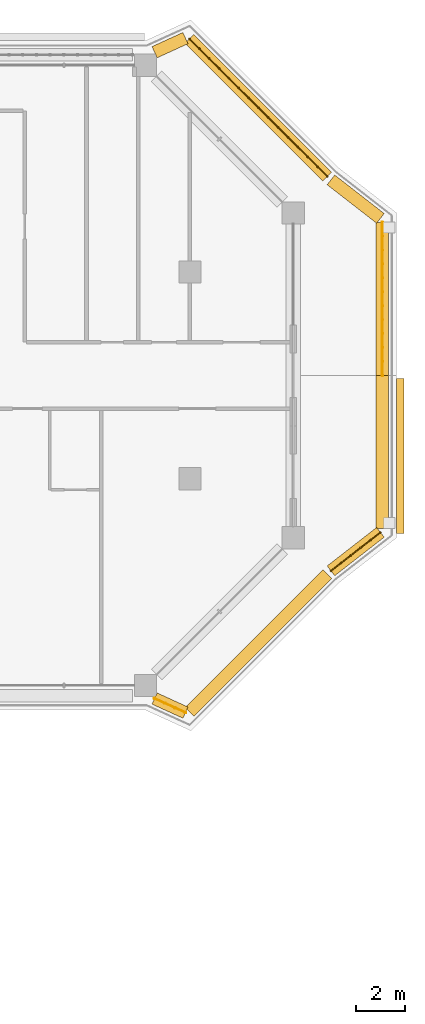
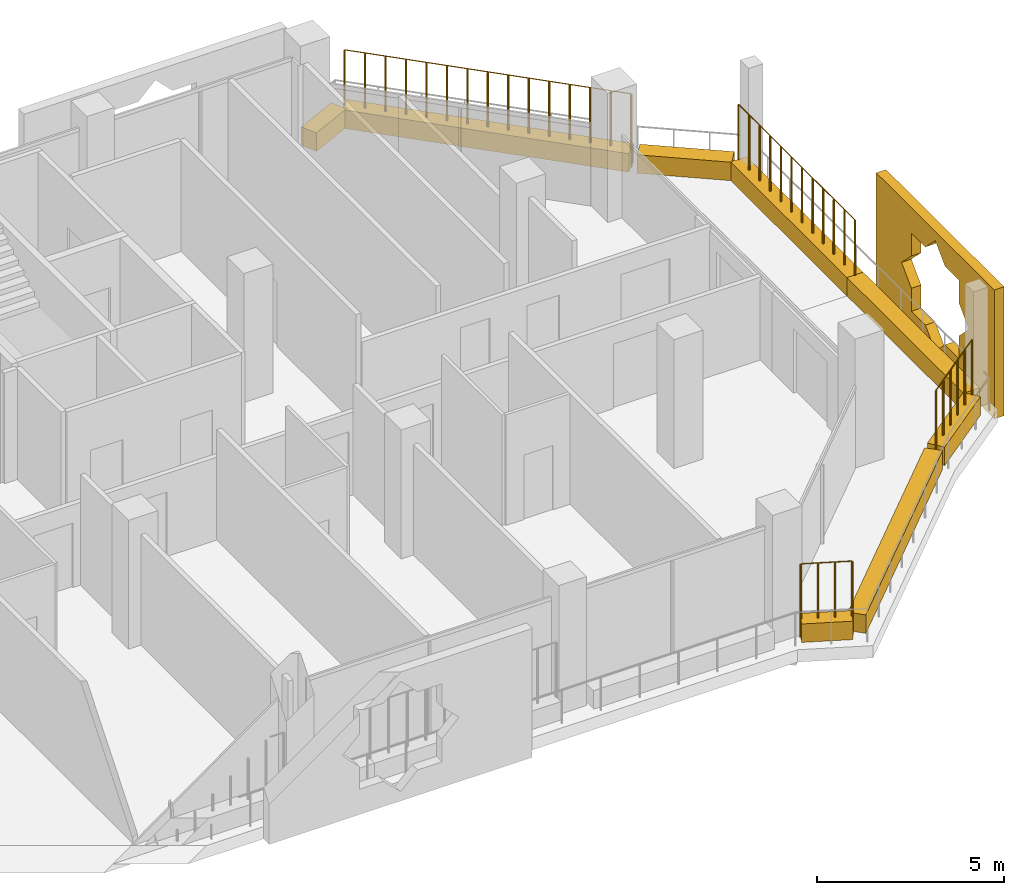
# One storey, part 21 of 21: 9 coverings, 4 railings.
"""IFC4 building model written with IfcOpenShell, lengths in metres."""

from ifc_helpers import new_model, si_unit, direction, frame, origin, origin_2d, place, context, subcontext, project, spatial, polyline, rectangle, circle, outline, extrude, material, material_profile, profile_set, type_object, element, save


model = new_model("IFC4")

# Units and contexts
model_context = context("Model", 3, precision=1e-05, world=origin(), true_north=direction((0.0, 1.0)))
body_context = subcontext(model_context, "Body", "Model", "MODEL_VIEW")
ifc_project = project(units=[si_unit("LENGTHUNIT", "METRE"), si_unit("AREAUNIT", "SQUARE_METRE"), si_unit("VOLUMEUNIT", "CUBIC_METRE"), si_unit("PLANEANGLEUNIT", "RADIAN"), si_unit("MASSUNIT", "GRAM", prefix="KILO")], contexts=[model_context])

# Site, building, storey
site_placement = place(None, origin())
site = spatial("IfcSite", under=ifc_project, at=site_placement, CompositionType="ELEMENT")
building_placement = place(site_placement, origin())
building = spatial("IfcBuilding", under=site, at=building_placement, Name="Kawkab Arch Medical Tower", CompositionType="ELEMENT")
storey_placement = place(building_placement, frame((0.0, 0.0, 243.199951171875)))
storey = spatial("IfcBuildingStorey", under=building, at=storey_placement, Name="L56", CompositionType="ELEMENT", Elevation=243.199951171875)

# Coverings
ifc_material_1 = material(Name="Bronze anodised aluminium mashrabiya panel, eight-point star pattern", Category="aluminium")
ifc_material_profile_1 = material_profile(ifc_material_1, outline(polyline([(-3.14990234375, -2.10009765625), (3.14990234375, -2.10009765625), (3.14990234375, 2.10009765625), (-3.14990234375, 2.10009765625), (-3.14990234375, -2.10009765625)]), holes=[polyline([(1.800048828125, 0.0), (1.272705078125, 0.527099609375), (1.272705078125, 1.272705078125), (0.527099609375, 1.272705078125), (0.0, 1.800048828125), (-0.527099609375, 1.272705078125), (-1.272705078125, 1.272705078125), (-1.272705078125, 0.527099609375), (-1.800048828125, 0.0), (-1.272705078125, -0.527099609375), (-1.272705078125, -1.272705078125), (-0.527099609375, -1.272705078125), (0.0, -1.800048828125), (0.527099609375, -1.272705078125), (1.272705078125, -1.272705078125), (1.272705078125, -0.527099609375), (1.800048828125, 0.0)])]), Name="Mashrabiya panel 6300x4200")
ifc_profile_set_1 = profile_set([ifc_material_profile_1], Name="Bronze anodised aluminium mashrabiya panel, eight-point star pattern")
covering_type_1 = type_object("IfcCoveringType", Name="Mashrabiya panel 6300 x 4200", PredefinedType="USERDEFINED", material=ifc_profile_set_1)
covering_1_placement = place(storey_placement, frame((67.199951171875, -15.877685546875, 1.699951171875), z_axis=(1.0, 0.0, 0.0), x_axis=(0.0, 1.0, 0.0)))
element("IfcCovering", 1, at=covering_1_placement, inside=storey, type_object=covering_type_1, Name="Mashrabiya panel L56.LOG-01-01.9", ObjectType="SCREEN", PredefinedType="USERDEFINED", context=body_context, shape_type="SweptSolid", body=[
    extrude(outline(polyline([(-3.14990234375, -2.10009765625), (3.14990234375, -2.10009765625), (3.14990234375, 2.10009765625), (-3.14990234375, 2.10009765625), (-3.14990234375, -2.10009765625)]), holes=[polyline([(1.800048828125, 0.0), (1.272705078125, 0.527099609375), (1.272705078125, 1.272705078125), (0.527099609375, 1.272705078125), (0.0, 1.800048828125), (-0.527099609375, 1.272705078125), (-1.272705078125, 1.272705078125), (-1.272705078125, 0.527099609375), (-1.800048828125, 0.0), (-1.272705078125, -0.527099609375), (-1.272705078125, -1.272705078125), (-0.527099609375, -1.272705078125), (0.0, -1.800048828125), (0.527099609375, -1.272705078125), (1.272705078125, -1.272705078125), (1.272705078125, -0.527099609375), (1.800048828125, 0.0)])]), origin(), (0.0, 0.0, 1.0), 0.300048828125),
])
ifc_material_2 = material(Name="Planting soil in a precast trough", Category="concrete")
ifc_material_profile_2 = material_profile(ifc_material_2, rectangle(XDim=0.5, YDim=0.60009765625, at=origin_2d()), Name="Trough 500x600")
ifc_profile_set_2 = profile_set([ifc_material_profile_2], Name="Planting soil in a precast trough")
covering_type_2 = type_object("IfcCoveringType", Name="Planter trough 500 x 600", PredefinedType="USERDEFINED", material=ifc_profile_set_2)
covering_2_placement = place(storey_placement, frame((57.366943359375, 0.530029296875, 0.300048828125), z_axis=(0.909831953447, 0.41497688669, 0.0), x_axis=(-0.41497688669, 0.909831953447, 0.0)))
element("IfcCovering", 2, at=covering_2_placement, inside=storey, type_object=covering_type_2, Name="Planter L56.LOG-01-01.24", ObjectType="PLANTER", PredefinedType="USERDEFINED", context=body_context, shape_type="SweptSolid", body=[
    extrude(rectangle(XDim=0.5, YDim=0.60009765625, at=origin_2d()), origin(), (0.0, 0.0, 1.0), 1.37841796875),
])
covering_3_placement = place(storey_placement, frame((58.782958984375, 1.072998046875, 0.300048828125), z_axis=(0.707106781187, -0.707106781187, 0.0), x_axis=(0.707106781187, 0.707106781187, 0.0)))
element("IfcCovering", 3, at=covering_3_placement, inside=storey, type_object=covering_type_2, Name="Planter L56.LOG-01-01.25", ObjectType="PLANTER", PredefinedType="USERDEFINED", context=body_context, shape_type="SweptSolid", body=[
    extrude(rectangle(XDim=0.5, YDim=0.60009765625, at=origin_2d()), origin(), (0.0, 0.0, 1.0), 7.919677734375),
])
covering_4_placement = place(storey_placement, frame((64.531982421875, -4.658935546875, 0.300048828125), z_axis=(0.789274742246, -0.61404021143, 0.0), x_axis=(0.61404021143, 0.789274742246, 0.0)))
element("IfcCovering", 4, at=covering_4_placement, inside=storey, type_object=covering_type_2, Name="Planter L56.LOG-01-01.26", ObjectType="PLANTER", PredefinedType="USERDEFINED", context=body_context, shape_type="SweptSolid", body=[
    extrude(rectangle(XDim=0.5, YDim=0.60009765625, at=origin_2d()), origin(), (0.0, 0.0, 1.0), 2.54541015625),
])
covering_5_placement = place(storey_placement, frame((66.6201171875, -6.384033203125, 0.300048828125), z_axis=(0.0, -1.0, 0.0), x_axis=(1.0, 0.0, 0.0)))
element("IfcCovering", 5, at=covering_5_placement, inside=storey, type_object=covering_type_2, Name="Planter L56.LOG-01-01.27", ObjectType="PLANTER", PredefinedType="USERDEFINED", context=body_context, shape_type="SweptSolid", body=[
    extrude(rectangle(XDim=0.5, YDim=0.60009765625, at=origin_2d()), origin(), (0.0, 0.0, 1.0), 6.216064453125),
])
covering_6_placement = place(storey_placement, frame((66.6201171875, -12.60009765625, 0.300048828125), z_axis=(0.0, -1.0, 0.0), x_axis=(1.0, 0.0, 0.0)))
element("IfcCovering", 6, at=covering_6_placement, inside=storey, type_object=covering_type_2, Name="Planter L56.LOG-01-01.28", ObjectType="PLANTER", PredefinedType="USERDEFINED", context=body_context, shape_type="SweptSolid", body=[
    extrude(rectangle(XDim=0.5, YDim=0.60009765625, at=origin_2d()), origin(), (0.0, 0.0, 1.0), 6.2158203125),
])
covering_7_placement = place(storey_placement, frame((66.541015625, -18.97802734375, 0.300048828125), z_axis=(-0.789274742246, -0.61404021143, 0.0), x_axis=(0.61404021143, -0.789274742246, 0.0)))
element("IfcCovering", 7, at=covering_7_placement, inside=storey, type_object=covering_type_2, Name="Planter L56.LOG-01-01.29", ObjectType="PLANTER", PredefinedType="USERDEFINED", context=body_context, shape_type="SweptSolid", body=[
    extrude(rectangle(XDim=0.5, YDim=0.60009765625, at=origin_2d()), origin(), (0.0, 0.0, 1.0), 2.54541015625),
])
covering_8_placement = place(storey_placement, frame((64.383056640625, -20.673095703125, 0.300048828125), z_axis=(-0.70712219479, -0.707091367247, 0.0), x_axis=(0.707091367247, -0.70712219479, 0.0)))
element("IfcCovering", 8, at=covering_8_placement, inside=storey, type_object=covering_type_2, Name="Planter L56.LOG-01-01.30", ObjectType="PLANTER", PredefinedType="USERDEFINED", context=body_context, shape_type="SweptSolid", body=[
    extrude(rectangle(XDim=0.5, YDim=0.60009765625, at=origin_2d()), origin(), (0.0, 0.0, 1.0), 7.919677734375),
])
covering_9_placement = place(storey_placement, frame((58.62109375, -26.302001953125, 0.300048828125), z_axis=(-0.909831953447, 0.41497688669, 0.0), x_axis=(-0.41497688669, -0.909831953447, 0.0)))
element("IfcCovering", 9, at=covering_9_placement, inside=storey, type_object=covering_type_2, Name="Planter L56.LOG-01-01.31", ObjectType="PLANTER", PredefinedType="USERDEFINED", context=body_context, shape_type="SweptSolid", body=[
    extrude(rectangle(XDim=0.5, YDim=0.60009765625, at=origin_2d()), origin(), (0.0, 0.0, 1.0), 1.37841796875),
])

# Railings
ifc_material_3 = material(Name="Bronze anodised aluminium trellis for climbing plants", Category="aluminium")
railing_type = type_object("IfcRailingType", Name="Planting trellis 2400", PredefinedType="USERDEFINED", material=ifc_material_3)
railing_1_placement = place(storey_placement, frame((58.782958984375, 1.072998046875, 0.0)))
element("IfcRailing", 10, at=railing_1_placement, inside=storey, type_object=railing_type, Name="Planting trellis L56.LOG-01-01.25", ObjectType="TRELLIS", PredefinedType="USERDEFINED", context=body_context, shape_type="SweptSolid", body=[
    extrude(circle(Radius=0.01513671875, at=origin_2d()), frame((0.0, 0.0, 2.384765625), z_axis=(0.707106781187, -0.707106781187, 0.0), x_axis=(0.707106781187, 0.707106781187, 0.0)), (0.0, 0.0, 1.0), 7.919677734375),
    extrude(circle(Radius=0.030029296875, at=origin_2d()), origin(), (0.0, 0.0, 1.0), 2.369873046875),
    extrude(circle(Radius=0.030029296875, at=origin_2d()), frame((0.39990234375, -0.39990234375, 0.0)), (0.0, 0.0, 1.0), 2.369873046875),
    extrude(circle(Radius=0.030029296875, at=origin_2d()), frame((0.800048828125, -0.800048828125, 0.0)), (0.0, 0.0, 1.0), 2.369873046875),
    extrude(circle(Radius=0.030029296875, at=origin_2d()), frame((1.199951171875, -1.199951171875, 0.0)), (0.0, 0.0, 1.0), 2.369873046875),
    extrude(circle(Radius=0.030029296875, at=origin_2d()), frame((1.60009765625, -1.60009765625, 0.0)), (0.0, 0.0, 1.0), 2.369873046875),
    extrude(circle(Radius=0.030029296875, at=origin_2d()), frame((2.0, -2.0, 0.0)), (0.0, 0.0, 1.0), 2.369873046875),
    extrude(circle(Radius=0.030029296875, at=origin_2d()), frame((2.400146484375, -2.400146484375, 0.0)), (0.0, 0.0, 1.0), 2.369873046875),
    extrude(circle(Radius=0.030029296875, at=origin_2d()), frame((2.800048828125, -2.800048828125, 0.0)), (0.0, 0.0, 1.0), 2.369873046875),
    extrude(circle(Radius=0.030029296875, at=origin_2d()), frame((3.199951171875, -3.199951171875, 0.0)), (0.0, 0.0, 1.0), 2.369873046875),
    extrude(circle(Radius=0.030029296875, at=origin_2d()), frame((3.60009765625, -3.60009765625, 0.0)), (0.0, 0.0, 1.0), 2.369873046875),
    extrude(circle(Radius=0.030029296875, at=origin_2d()), frame((4.0, -4.0, 0.0)), (0.0, 0.0, 1.0), 2.369873046875),
    extrude(circle(Radius=0.030029296875, at=origin_2d()), frame((4.400146484375, -4.400146484375, 0.0)), (0.0, 0.0, 1.0), 2.369873046875),
    extrude(circle(Radius=0.030029296875, at=origin_2d()), frame((4.800048828125, -4.800048828125, 0.0)), (0.0, 0.0, 1.0), 2.369873046875),
    extrude(circle(Radius=0.030029296875, at=origin_2d()), frame((5.2001953125, -5.2001953125, 0.0)), (0.0, 0.0, 1.0), 2.369873046875),
    extrude(circle(Radius=0.030029296875, at=origin_2d()), frame((5.60009765625, -5.60009765625, 0.0)), (0.0, 0.0, 1.0), 2.369873046875),
])
railing_2_placement = place(storey_placement, frame((66.6201171875, -6.384033203125, 0.0)))
element("IfcRailing", 11, at=railing_2_placement, inside=storey, type_object=railing_type, Name="Planting trellis L56.LOG-01-01.27", ObjectType="TRELLIS", PredefinedType="USERDEFINED", context=body_context, shape_type="SweptSolid", body=[
    extrude(circle(Radius=0.01513671875, at=origin_2d()), frame((0.0, 0.0, 2.384765625), z_axis=(0.0, -1.0, 0.0), x_axis=(1.0, 0.0, 0.0)), (0.0, 0.0, 1.0), 6.216064453125),
    extrude(circle(Radius=0.030029296875, at=origin_2d()), origin(), (0.0, 0.0, 1.0), 2.369873046875),
    extrude(circle(Radius=0.030029296875, at=origin_2d()), frame((0.0, -0.565185546875, 0.0)), (0.0, 0.0, 1.0), 2.369873046875),
    extrude(circle(Radius=0.030029296875, at=origin_2d()), frame((0.0, -1.130126953125, 0.0)), (0.0, 0.0, 1.0), 2.369873046875),
    extrude(circle(Radius=0.030029296875, at=origin_2d()), frame((0.0, -1.6953125, 0.0)), (0.0, 0.0, 1.0), 2.369873046875),
    extrude(circle(Radius=0.030029296875, at=origin_2d()), frame((0.0, -2.260498046875, 0.0)), (0.0, 0.0, 1.0), 2.369873046875),
    extrude(circle(Radius=0.030029296875, at=origin_2d()), frame((0.0, -2.825439453125, 0.0)), (0.0, 0.0, 1.0), 2.369873046875),
    extrude(circle(Radius=0.030029296875, at=origin_2d()), frame((0.0, -3.390625, 0.0)), (0.0, 0.0, 1.0), 2.369873046875),
    extrude(circle(Radius=0.030029296875, at=origin_2d()), frame((0.0, -3.95556640625, 0.0)), (0.0, 0.0, 1.0), 2.369873046875),
    extrude(circle(Radius=0.030029296875, at=origin_2d()), frame((0.0, -4.520751953125, 0.0)), (0.0, 0.0, 1.0), 2.369873046875),
    extrude(circle(Radius=0.030029296875, at=origin_2d()), frame((0.0, -5.0859375, 0.0)), (0.0, 0.0, 1.0), 2.369873046875),
    extrude(circle(Radius=0.030029296875, at=origin_2d()), frame((0.0, -5.65087890625, 0.0)), (0.0, 0.0, 1.0), 2.369873046875),
    extrude(circle(Radius=0.030029296875, at=origin_2d()), frame((0.0, -6.216064453125, 0.0)), (0.0, 0.0, 1.0), 2.369873046875),
])
railing_3_placement = place(storey_placement, frame((66.541015625, -18.97802734375, 0.0)))
element("IfcRailing", 12, at=railing_3_placement, inside=storey, type_object=railing_type, Name="Planting trellis L56.LOG-01-01.29", ObjectType="TRELLIS", PredefinedType="USERDEFINED", context=body_context, shape_type="SweptSolid", body=[
    extrude(circle(Radius=0.01513671875, at=origin_2d()), frame((0.0, 0.0, 2.384765625), z_axis=(-0.789274742246, -0.61404021143, 0.0), x_axis=(0.61404021143, -0.789274742246, 0.0)), (0.0, 0.0, 1.0), 2.54541015625),
    extrude(circle(Radius=0.030029296875, at=origin_2d()), origin(), (0.0, 0.0, 1.0), 2.369873046875),
    extrude(circle(Radius=0.030029296875, at=origin_2d()), frame((-0.40185546875, -0.3125, 0.0)), (0.0, 0.0, 1.0), 2.369873046875),
    extrude(circle(Radius=0.030029296875, at=origin_2d()), frame((-0.8037109375, -0.625244140625, 0.0)), (0.0, 0.0, 1.0), 2.369873046875),
    extrude(circle(Radius=0.030029296875, at=origin_2d()), frame((-1.205322265625, -0.937744140625, 0.0)), (0.0, 0.0, 1.0), 2.369873046875),
    extrude(circle(Radius=0.030029296875, at=origin_2d()), frame((-1.607177734375, -1.25048828125, 0.0)), (0.0, 0.0, 1.0), 2.369873046875),
    extrude(circle(Radius=0.030029296875, at=origin_2d()), frame((-2.009033203125, -1.56298828125, 0.0)), (0.0, 0.0, 1.0), 2.369873046875),
])
railing_4_placement = place(storey_placement, frame((58.62109375, -26.302001953125, 0.0)))
element("IfcRailing", 13, at=railing_4_placement, inside=storey, type_object=railing_type, Name="Planting trellis L56.LOG-01-01.31", ObjectType="TRELLIS", PredefinedType="USERDEFINED", context=body_context, shape_type="SweptSolid", body=[
    extrude(circle(Radius=0.01513671875, at=origin_2d()), frame((0.0, 0.0, 2.384765625), z_axis=(-0.909831953447, 0.41497688669, 0.0), x_axis=(-0.41497688669, -0.909831953447, 0.0)), (0.0, 0.0, 1.0), 1.37841796875),
    extrude(circle(Radius=0.030029296875, at=origin_2d()), origin(), (0.0, 0.0, 1.0), 2.369873046875),
    extrude(circle(Radius=0.030029296875, at=origin_2d()), frame((-0.41796875, 0.190673828125, 0.0)), (0.0, 0.0, 1.0), 2.369873046875),
    extrude(circle(Radius=0.030029296875, at=origin_2d()), frame((-0.836181640625, 0.38134765625, 0.0)), (0.0, 0.0, 1.0), 2.369873046875),
    extrude(circle(Radius=0.030029296875, at=origin_2d()), frame((-1.254150390625, 0.572021484375, 0.0)), (0.0, 0.0, 1.0), 2.369873046875),
])

save(model, "model.ifc")
